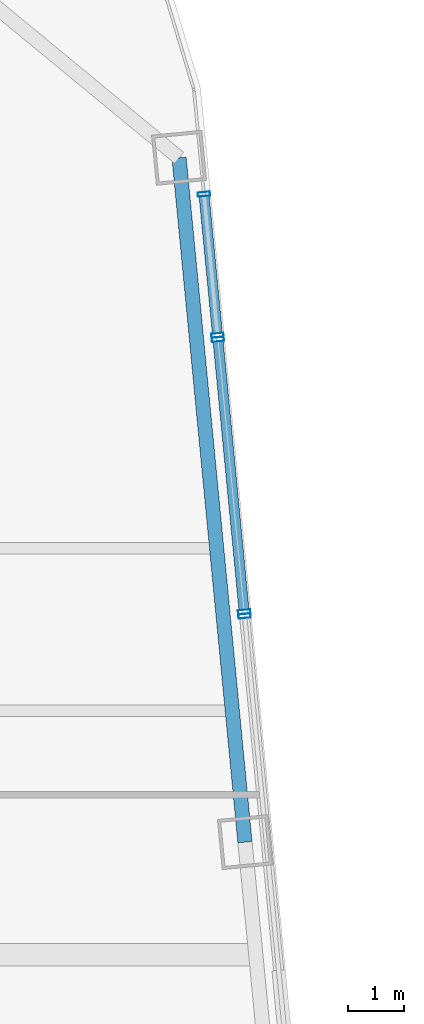
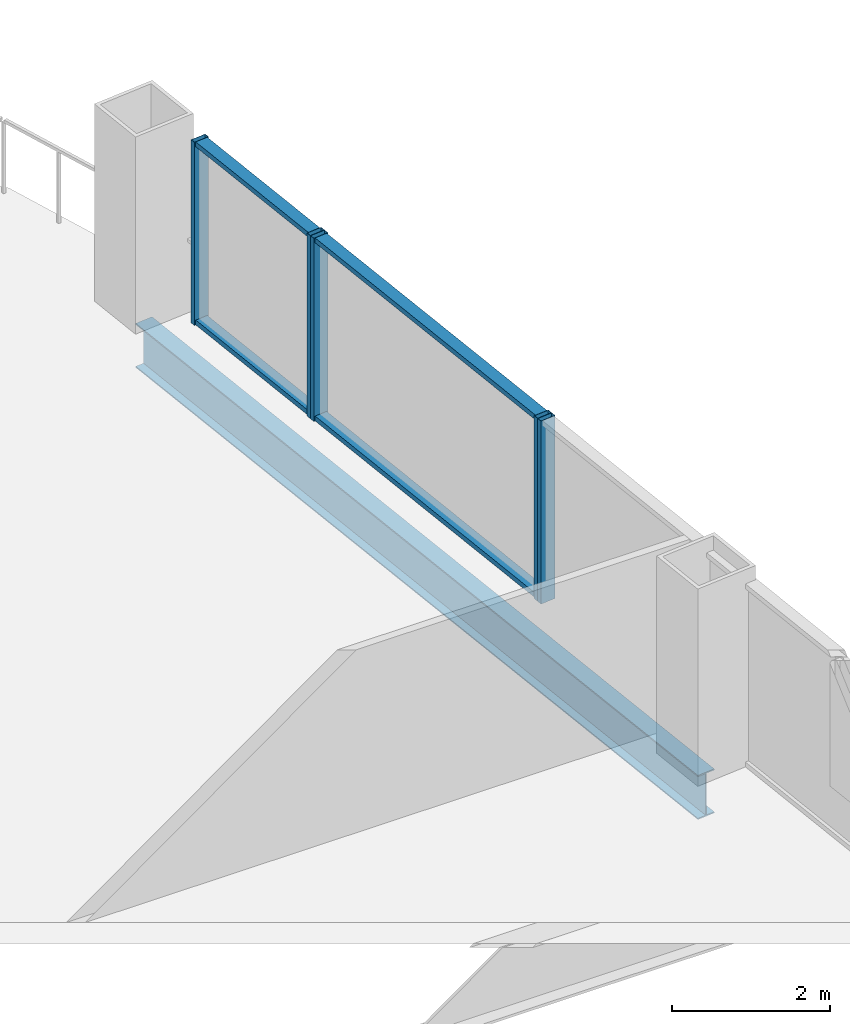
# One storey, part 19 of 27: 9 members, 1 beam, 3 elements without a shape of their own.
"""IFC4 building model written with IfcOpenShell, lengths in metres."""

from ifc_helpers import new_model, si_unit, direction, frame, origin, origin_2d, place, context, subcontext, project, spatial, hollow_rectangle, i_section, extrude, material, layer, layer_set, material_profile, profile_set, type_object, element, aggregate, save


model = new_model("IFC4")

# Units and contexts
model_context = context("Model", 3, precision=1e-05, world=origin(), true_north=direction((0.0, 1.0)))
body_context = subcontext(model_context, "Body", "Model", "MODEL_VIEW")
ifc_project = project(units=[si_unit("LENGTHUNIT", "METRE"), si_unit("AREAUNIT", "SQUARE_METRE"), si_unit("VOLUMEUNIT", "CUBIC_METRE"), si_unit("PLANEANGLEUNIT", "RADIAN"), si_unit("MASSUNIT", "GRAM", prefix="KILO")], contexts=[model_context])

# Site, building, storey
site_placement = place(None, origin())
site = spatial("IfcSite", under=ifc_project, at=site_placement, CompositionType="ELEMENT")
building_placement = place(site_placement, origin())
building = spatial("IfcBuilding", under=site, at=building_placement, Name="Qhalaya Broadcast Tower", CompositionType="ELEMENT")
storey_placement = place(building_placement, frame((0.0, 0.0, 75.550048828125)))
storey = spatial("IfcBuildingStorey", under=building, at=storey_placement, Name="L21", CompositionType="ELEMENT", Elevation=75.550048828125)

# Beam
ifc_material_1 = material(Name="Structural Steel ASTM A992 Grade 50", Category="steel")
ifc_material_profile_1 = material_profile(ifc_material_1, i_section(OverallWidth=0.25390625, OverallDepth=0.68310546875, WebThickness=0.012451171875, FlangeThickness=0.01904296875, at=origin_2d()), Name="W27X94")
ifc_profile_set_1 = profile_set([ifc_material_profile_1], Name="Structural Steel ASTM A992 Grade 50")
beam_type = type_object("IfcBeamType", Name="Perimeter Ring Spandrel Beam SP1", PredefinedType="SPANDREL", material=ifc_profile_set_1)
beam_placement = place(storey_placement, frame((26.941162109375, 11.955078125, -0.5615234375), z_axis=(-0.095851586307, 0.99539563662, 0.0), x_axis=(-0.99539563662, -0.095851586307, 0.0)))
element("IfcBeam", 1, at=beam_placement, inside=storey, type_object=beam_type, Name="L21 SP1 L21-SPR-07", PredefinedType="SPANDREL", context=body_context, shape_type="SweptSolid", body=[
    extrude(i_section(OverallWidth=0.25390625, OverallDepth=0.68310546875, WebThickness=0.012451171875, FlangeThickness=0.01904296875, at=origin_2d()), origin(), (0.0, 0.0, 1.0), 12.2666015625),
])

# Curtain wall, member
ifc_material_2 = material(Name="Fired Architectural Terracotta", Category="masonry")
ifc_layer_1 = layer(ifc_material_2, 0.219970703125, Name="Fired Architectural Terracotta")
ifc_layer_set_1 = layer_set([ifc_layer_1], Name="Fired Architectural Terracotta")
curtain_wall_type_1 = type_object("IfcCurtainWallType", Name="Block-Cap Unitised Terracotta Spandrel Wall CW-07", PredefinedType="NOTDEFINED", material=ifc_layer_set_1)
curtain_wall_1_placement = place(storey_placement, origin())
curtain_wall_1 = element("IfcCurtainWall", 2, at=curtain_wall_1_placement, inside=storey, type_object=curtain_wall_type_1, Name="L21 Unitised Curtain Wall L21-CW-E5", PredefinedType="NOTDEFINED")
ifc_material_3 = material(Name="Anodised Aluminium 6063-T6", Category="aluminium")
ifc_material_profile_2 = material_profile(ifc_material_3, hollow_rectangle(XDim=0.074951171875, YDim=0.219970703125, WallThickness=0.00390625, at=origin_2d()), Name="ALU-MUL 75x220x4")
ifc_profile_set_2 = profile_set([ifc_material_profile_2], Name="Anodised Aluminium 6063-T6")
member_type_1 = type_object("IfcMemberType", Name="Unitised Curtain-Wall Mullion M01", PredefinedType="MULLION", material=ifc_profile_set_2)
member_1_placement = place(storey_placement, frame((26.934326171875, 15.989990234375, 0.0), z_axis=(0.0, 0.0, 1.0), x_axis=(-0.095849092763, 0.995395876733, 0.0)))
member_1 = element("IfcMember", 3, at=member_1_placement, type_object=member_type_1, Name="CW-07 mullion 2", PredefinedType="MULLION", context=body_context, shape_type="SweptSolid", body=[
    extrude(hollow_rectangle(XDim=0.074951171875, YDim=0.219970703125, WallThickness=0.00390625, at=origin_2d()), origin(), (0.0, 0.0, 1.0), 2.829833984375),
])
aggregate(curtain_wall_1, [member_1])

# Curtain wall, members
ifc_material_4 = material(Name="Solar-Control Low-E Triple Glazing", Category="glass")
ifc_layer_2 = layer(ifc_material_4, 0.219970703125, Name="Solar-Control Low-E Triple Glazing")
ifc_layer_set_2 = layer_set([ifc_layer_2], Name="Solar-Control Low-E Triple Glazing")
curtain_wall_type_2 = type_object("IfcCurtainWallType", Name="Even-Block 4-Storey Double-Module Curtain Wall CW-03", PredefinedType="NOTDEFINED", material=ifc_layer_set_2)
curtain_wall_2_placement = place(storey_placement, origin())
curtain_wall_2 = element("IfcCurtainWall", 4, at=curtain_wall_2_placement, inside=storey, type_object=curtain_wall_type_2, Name="L21 Unitised Curtain Wall L21-CW-E6", PredefinedType="NOTDEFINED")
member_2_placement = place(storey_placement, frame((26.92724609375, 16.064697265625, 0.0), z_axis=(0.0, 0.0, 1.0), x_axis=(-0.095846535553, 0.995396122969, 0.0)))
member_2 = element("IfcMember", 5, at=member_2_placement, type_object=member_type_1, Name="CW-03 mullion 1", PredefinedType="MULLION", context=body_context, shape_type="SweptSolid", body=[
    extrude(hollow_rectangle(XDim=0.074951171875, YDim=0.219970703125, WallThickness=0.00390625, at=origin_2d()), origin(), (0.0, 0.0, 1.0), 2.829833984375),
])
member_3_placement = place(storey_placement, frame((26.459228515625, 20.92529296875, 0.0), z_axis=(0.0, 0.0, 1.0), x_axis=(-0.095846535553, 0.995396122969, 0.0)))
member_3 = element("IfcMember", 6, at=member_3_placement, type_object=member_type_1, Name="CW-03 mullion 2", PredefinedType="MULLION", context=body_context, shape_type="SweptSolid", body=[
    extrude(hollow_rectangle(XDim=0.074951171875, YDim=0.219970703125, WallThickness=0.00390625, at=origin_2d()), origin(), (0.0, 0.0, 1.0), 2.829833984375),
])

curtain_wall_3_placement = place(storey_placement, origin())
curtain_wall_3 = element("IfcCurtainWall", 7, at=curtain_wall_3_placement, inside=storey, type_object=curtain_wall_type_1, Name="L21 Unitised Curtain Wall L21-CW-E7", PredefinedType="NOTDEFINED")
member_4_placement = place(storey_placement, frame((26.451904296875, 20.999755859375, 0.0), z_axis=(0.0, 0.0, 1.0), x_axis=(-0.095849237045, 0.995395862839, 0.0)))
member_4 = element("IfcMember", 8, at=member_4_placement, type_object=member_type_1, Name="CW-07 mullion 1", PredefinedType="MULLION", context=body_context, shape_type="SweptSolid", body=[
    extrude(hollow_rectangle(XDim=0.074951171875, YDim=0.219970703125, WallThickness=0.00390625, at=origin_2d()), origin(), (0.0, 0.0, 1.0), 2.829833984375),
])
member_5_placement = place(storey_placement, frame((26.20947265625, 23.517333984375, 0.0), z_axis=(0.0, 0.0, 1.0), x_axis=(-0.095849237045, 0.995395862839, 0.0)))
member_5 = element("IfcMember", 9, at=member_5_placement, type_object=member_type_1, Name="CW-07 mullion 2", PredefinedType="MULLION", context=body_context, shape_type="SweptSolid", body=[
    extrude(hollow_rectangle(XDim=0.074951171875, YDim=0.219970703125, WallThickness=0.00390625, at=origin_2d()), origin(), (0.0, 0.0, 1.0), 2.829833984375),
])

# Member
ifc_material_profile_3 = material_profile(ifc_material_3, hollow_rectangle(XDim=0.074951171875, YDim=0.179931640625, WallThickness=0.00390625, at=origin_2d()), Name="ALU-TRN 75x180x4")
ifc_profile_set_3 = profile_set([ifc_material_profile_3], Name="Anodised Aluminium 6063-T6")
member_type_2 = type_object("IfcMemberType", Name="Unitised Curtain-Wall Transom T01", PredefinedType="USERDEFINED", material=ifc_profile_set_3)
member_6_placement = place(storey_placement, frame((26.923583984375, 16.10205078125, 0.037353515625), z_axis=(-0.0958178693, 0.995398882822, 0.0), x_axis=(0.0, 0.0, 1.0)))
member_6 = element("IfcMember", 10, at=member_6_placement, type_object=member_type_2, Name="CW-03 transom 1.1", ObjectType="TRANSOM", PredefinedType="USERDEFINED", context=body_context, shape_type="SweptSolid", body=[
    extrude(hollow_rectangle(XDim=0.074951171875, YDim=0.179931640625, WallThickness=0.00390625, at=origin_2d()), origin(), (0.0, 0.0, 1.0), 4.80810546875),
])

member_7_placement = place(storey_placement, frame((26.923583984375, 16.10205078125, 2.79248046875), z_axis=(-0.0958178693, 0.995398882822, 0.0), x_axis=(0.0, 0.0, 1.0)))
member_7 = element("IfcMember", 11, at=member_7_placement, type_object=member_type_2, Name="CW-03 transom 1.2", ObjectType="TRANSOM", PredefinedType="USERDEFINED", context=body_context, shape_type="SweptSolid", body=[
    extrude(hollow_rectangle(XDim=0.074951171875, YDim=0.179931640625, WallThickness=0.00390625, at=origin_2d()), origin(), (0.0, 0.0, 1.0), 4.80810546875),
])

aggregate(curtain_wall_2, [member_2, member_3, member_6, member_7])

member_8_placement = place(storey_placement, frame((26.448486328125, 21.037109375, 0.037353515625), z_axis=(-0.095898167954, 0.995391149942, 0.0), x_axis=(0.0, 0.0, 1.0)))
member_8 = element("IfcMember", 12, at=member_8_placement, type_object=member_type_2, Name="CW-07 transom 1.1", ObjectType="TRANSOM", PredefinedType="USERDEFINED", context=body_context, shape_type="SweptSolid", body=[
    extrude(hollow_rectangle(XDim=0.074951171875, YDim=0.179931640625, WallThickness=0.00390625, at=origin_2d()), origin(), (0.0, 0.0, 1.0), 2.4541015625),
])

member_9_placement = place(storey_placement, frame((26.448486328125, 21.037109375, 2.79248046875), z_axis=(-0.095898167954, 0.995391149942, 0.0), x_axis=(0.0, 0.0, 1.0)))
member_9 = element("IfcMember", 13, at=member_9_placement, type_object=member_type_2, Name="CW-07 transom 1.2", ObjectType="TRANSOM", PredefinedType="USERDEFINED", context=body_context, shape_type="SweptSolid", body=[
    extrude(hollow_rectangle(XDim=0.074951171875, YDim=0.179931640625, WallThickness=0.00390625, at=origin_2d()), origin(), (0.0, 0.0, 1.0), 2.4541015625),
])

aggregate(curtain_wall_3, [member_4, member_5, member_8, member_9])

save(model, "model.ifc")
